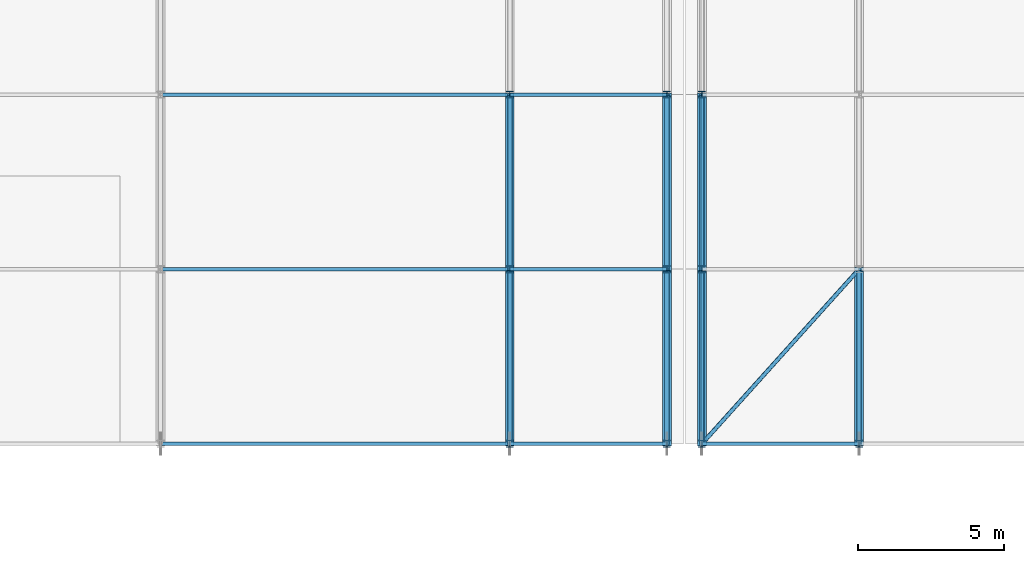
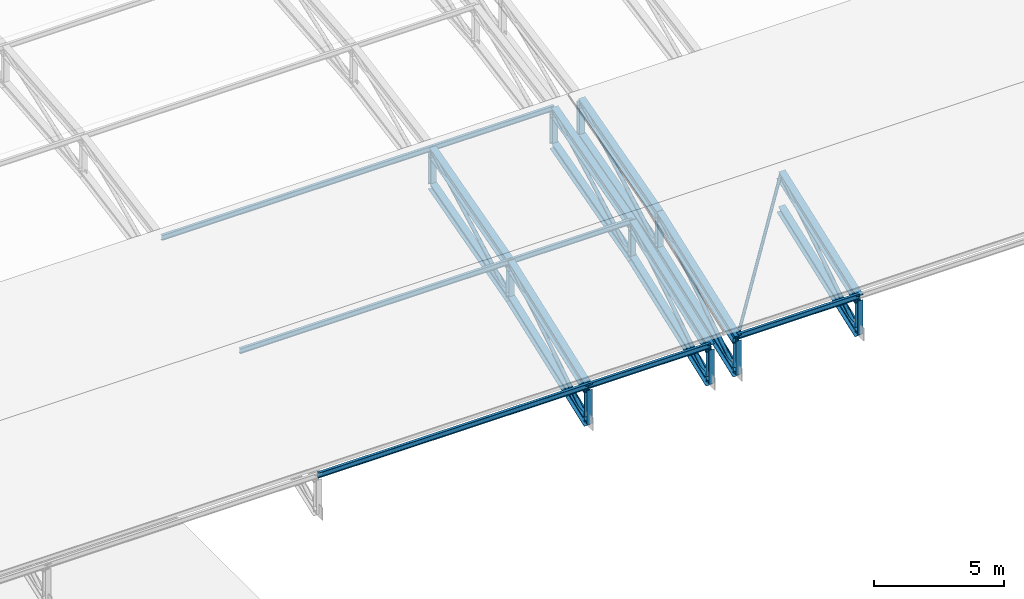
# One storey, part 94 of 204: 39 members.
"""IFC4 building model written with IfcOpenShell, lengths in metres."""

from ifc_helpers import new_model, si_unit, direction, frame, origin, origin_2d, place, context, subcontext, project, spatial, hollow_circle, i_section, extrude, material, material_profile, profile_set, type_object, element, save


model = new_model("IFC4")

# Units and contexts
model_context = context("Model", 3, precision=1e-05, world=origin(), true_north=direction((0.0, 1.0)))
body_context = subcontext(model_context, "Body", "Model", "MODEL_VIEW")
ifc_project = project(units=[si_unit("LENGTHUNIT", "METRE"), si_unit("AREAUNIT", "SQUARE_METRE"), si_unit("VOLUMEUNIT", "CUBIC_METRE"), si_unit("PLANEANGLEUNIT", "RADIAN"), si_unit("MASSUNIT", "GRAM", prefix="KILO")], contexts=[model_context])

# Site, building, storey
site_placement = place(None, origin())
site = spatial("IfcSite", under=ifc_project, at=site_placement, CompositionType="ELEMENT")
building_placement = place(site_placement, origin())
building = spatial("IfcBuilding", under=site, at=building_placement, Name="Zilviju Railside Exhibition Hall", CompositionType="ELEMENT")
storey_placement = place(building_placement, frame((0.0, 0.0, 21.0)))
storey = spatial("IfcBuildingStorey", under=building, at=storey_placement, Name="RF", CompositionType="ELEMENT", Elevation=21.0)

# Members
ifc_material = material(Name="Steel S355J2", Category="steel")
ifc_material_profile_1 = material_profile(ifc_material, hollow_circle(Radius=0.06982421875, WallThickness=0.00634765625, at=origin_2d()), Name="CHS 139.7x6.3")
ifc_profile_set_1 = profile_set([ifc_material_profile_1], Name="Steel S355J2")
member_type_1 = type_object("IfcMemberType", Name="TR-BR-CHS139", PredefinedType="BRACE", material=ifc_profile_set_1)
member_1_placement = place(storey_placement, frame((174.60009765625, 0.0, -6.14013671875), z_axis=(0.645910672406, 0.717691503981, 0.260227416666), x_axis=(-0.743300161789, 0.668958047626, 0.0)))
element("IfcMember", 1, at=member_1_placement, inside=storey, type_object=member_type_1, Name="V1 Roof Wind Brace (174.6..180.0)", PredefinedType="BRACE", context=body_context, shape_type="SweptSolid", body=[
    extrude(hollow_circle(Radius=0.06982421875, WallThickness=0.00634765625, at=origin_2d()), origin(), (0.0, 0.0, 1.0), 8.360107421875),
])
ifc_material_profile_2 = material_profile(ifc_material, hollow_circle(Radius=0.084228515625, WallThickness=0.008056640625, at=origin_2d()), Name="CHS 168.3x8.0")
ifc_profile_set_2 = profile_set([ifc_material_profile_2], Name="Steel S355J2")
member_type_2 = type_object("IfcMemberType", Name="TR-BR-CHS168", PredefinedType="BRACE", material=ifc_profile_set_2)
member_2_placement = place(storey_placement, frame((168.0, 0.0, -7.800048828125), z_axis=(0.0, 0.844023315733, 0.536306481872), x_axis=(-1.0, 0.0, 0.0)))
element("IfcMember", 2, at=member_2_placement, inside=storey, type_object=member_type_2, Name="V1 Parabolic Arch Web Diagonal X=168.0 P1", PredefinedType="BRACE", context=body_context, shape_type="SweptSolid", body=[
    extrude(hollow_circle(Radius=0.084228515625, WallThickness=0.008056640625, at=origin_2d()), origin(), (0.0, 0.0, 1.0), 7.10888671875),
])
member_3_placement = place(storey_placement, frame((168.0, 6.0, -5.587646484375), z_axis=(0.0, 0.87872232578, 0.477333294644), x_axis=(-1.0, 0.0, 0.0)))
element("IfcMember", 3, at=member_3_placement, inside=storey, type_object=member_type_2, Name="V1 Parabolic Arch Web Diagonal X=168.0 P2", PredefinedType="BRACE", context=body_context, shape_type="SweptSolid", body=[
    extrude(hollow_circle(Radius=0.084228515625, WallThickness=0.008056640625, at=origin_2d()), origin(), (0.0, 0.0, 1.0), 6.828125),
])
member_4_placement = place(storey_placement, frame((173.39990234375, 0.0, -7.800048828125), z_axis=(0.0, 0.844023315733, 0.536306481872), x_axis=(-1.0, 0.0, 0.0)))
element("IfcMember", 4, at=member_4_placement, inside=storey, type_object=member_type_2, Name="V1 Parabolic Arch Web Diagonal X=173.4 P1", PredefinedType="BRACE", context=body_context, shape_type="SweptSolid", body=[
    extrude(hollow_circle(Radius=0.084228515625, WallThickness=0.008056640625, at=origin_2d()), origin(), (0.0, 0.0, 1.0), 7.10888671875),
])
member_5_placement = place(storey_placement, frame((173.39990234375, 6.0, -5.587646484375), z_axis=(0.0, 0.87872232578, 0.477333294644), x_axis=(-1.0, 0.0, 0.0)))
element("IfcMember", 5, at=member_5_placement, inside=storey, type_object=member_type_2, Name="V1 Parabolic Arch Web Diagonal X=173.4 P2", PredefinedType="BRACE", context=body_context, shape_type="SweptSolid", body=[
    extrude(hollow_circle(Radius=0.084228515625, WallThickness=0.008056640625, at=origin_2d()), origin(), (0.0, 0.0, 1.0), 6.828125),
])
member_6_placement = place(storey_placement, frame((174.60009765625, 0.0, -7.800048828125), z_axis=(0.0, 0.844023315733, 0.536306481872), x_axis=(-1.0, 0.0, 0.0)))
element("IfcMember", 6, at=member_6_placement, inside=storey, type_object=member_type_2, Name="V1 Parabolic Arch Web Diagonal X=174.6 P1", PredefinedType="BRACE", context=body_context, shape_type="SweptSolid", body=[
    extrude(hollow_circle(Radius=0.084228515625, WallThickness=0.008056640625, at=origin_2d()), origin(), (0.0, 0.0, 1.0), 7.10888671875),
])
member_7_placement = place(storey_placement, frame((174.60009765625, 6.0, -5.587646484375), z_axis=(0.0, 0.87872232578, 0.477333294644), x_axis=(-1.0, 0.0, 0.0)))
element("IfcMember", 7, at=member_7_placement, inside=storey, type_object=member_type_2, Name="V1 Parabolic Arch Web Diagonal X=174.6 P2", PredefinedType="BRACE", context=body_context, shape_type="SweptSolid", body=[
    extrude(hollow_circle(Radius=0.084228515625, WallThickness=0.008056640625, at=origin_2d()), origin(), (0.0, 0.0, 1.0), 6.828125),
])
member_8_placement = place(storey_placement, frame((180.0, 0.0, -7.800048828125), z_axis=(0.0, 0.844023315733, 0.536306481872), x_axis=(-1.0, 0.0, 0.0)))
element("IfcMember", 8, at=member_8_placement, inside=storey, type_object=member_type_2, Name="V1 Parabolic Arch Web Diagonal X=180.0 P1", PredefinedType="BRACE", context=body_context, shape_type="SweptSolid", body=[
    extrude(hollow_circle(Radius=0.084228515625, WallThickness=0.008056640625, at=origin_2d()), origin(), (0.0, 0.0, 1.0), 7.10888671875),
])
ifc_material_profile_3 = material_profile(ifc_material, i_section(OverallWidth=0.300048828125, OverallDepth=0.360107421875, WebThickness=0.012451171875, FlangeThickness=0.0224609375, at=origin_2d()), Name="HEB 360")
ifc_profile_set_3 = profile_set([ifc_material_profile_3], Name="Steel S355J2")
member_type_3 = type_object("IfcMemberType", Name="TR-CH-HEB360", PredefinedType="CHORD", material=ifc_profile_set_3)
member_9_placement = place(storey_placement, frame((168.0, 0.0, -7.800048828125), z_axis=(0.0, 0.938247917098, 0.345963648468), x_axis=(-1.0, 0.0, 0.0)))
element("IfcMember", 9, at=member_9_placement, inside=storey, type_object=member_type_3, Name="V1 Parabolic Arch Bottom Chord X=168.0 P1", PredefinedType="CHORD", context=body_context, shape_type="SweptSolid", body=[
    extrude(i_section(OverallWidth=0.300048828125, OverallDepth=0.360107421875, WebThickness=0.012451171875, FlangeThickness=0.0224609375, at=origin_2d()), origin(), (0.0, 0.0, 1.0), 6.39501953125),
])
member_10_placement = place(storey_placement, frame((168.0, 6.0, -5.587646484375), z_axis=(0.0, 0.963827412659, 0.266527144223), x_axis=(-1.0, 0.0, 0.0)))
element("IfcMember", 10, at=member_10_placement, inside=storey, type_object=member_type_3, Name="V1 Parabolic Arch Bottom Chord X=168.0 P2", PredefinedType="CHORD", context=body_context, shape_type="SweptSolid", body=[
    extrude(i_section(OverallWidth=0.300048828125, OverallDepth=0.360107421875, WebThickness=0.012451171875, FlangeThickness=0.0224609375, at=origin_2d()), origin(), (0.0, 0.0, 1.0), 6.22509765625),
])
member_11_placement = place(storey_placement, frame((173.39990234375, 0.0, -7.800048828125), z_axis=(0.0, 0.938247917098, 0.345963648468), x_axis=(-1.0, 0.0, 0.0)))
element("IfcMember", 11, at=member_11_placement, inside=storey, type_object=member_type_3, Name="V1 Parabolic Arch Bottom Chord X=173.4 P1", PredefinedType="CHORD", context=body_context, shape_type="SweptSolid", body=[
    extrude(i_section(OverallWidth=0.300048828125, OverallDepth=0.360107421875, WebThickness=0.012451171875, FlangeThickness=0.0224609375, at=origin_2d()), origin(), (0.0, 0.0, 1.0), 6.39501953125),
])
member_12_placement = place(storey_placement, frame((173.39990234375, 6.0, -5.587646484375), z_axis=(0.0, 0.963827412659, 0.266527144223), x_axis=(-1.0, 0.0, 0.0)))
element("IfcMember", 12, at=member_12_placement, inside=storey, type_object=member_type_3, Name="V1 Parabolic Arch Bottom Chord X=173.4 P2", PredefinedType="CHORD", context=body_context, shape_type="SweptSolid", body=[
    extrude(i_section(OverallWidth=0.300048828125, OverallDepth=0.360107421875, WebThickness=0.012451171875, FlangeThickness=0.0224609375, at=origin_2d()), origin(), (0.0, 0.0, 1.0), 6.22509765625),
])
member_13_placement = place(storey_placement, frame((174.60009765625, 0.0, -7.800048828125), z_axis=(0.0, 0.938247917098, 0.345963648468), x_axis=(-1.0, 0.0, 0.0)))
element("IfcMember", 13, at=member_13_placement, inside=storey, type_object=member_type_3, Name="V1 Parabolic Arch Bottom Chord X=174.6 P1", PredefinedType="CHORD", context=body_context, shape_type="SweptSolid", body=[
    extrude(i_section(OverallWidth=0.300048828125, OverallDepth=0.360107421875, WebThickness=0.012451171875, FlangeThickness=0.0224609375, at=origin_2d()), origin(), (0.0, 0.0, 1.0), 6.39501953125),
])
member_14_placement = place(storey_placement, frame((174.60009765625, 6.0, -5.587646484375), z_axis=(0.0, 0.963827412659, 0.266527144223), x_axis=(-1.0, 0.0, 0.0)))
element("IfcMember", 14, at=member_14_placement, inside=storey, type_object=member_type_3, Name="V1 Parabolic Arch Bottom Chord X=174.6 P2", PredefinedType="CHORD", context=body_context, shape_type="SweptSolid", body=[
    extrude(i_section(OverallWidth=0.300048828125, OverallDepth=0.360107421875, WebThickness=0.012451171875, FlangeThickness=0.0224609375, at=origin_2d()), origin(), (0.0, 0.0, 1.0), 6.22509765625),
])
member_15_placement = place(storey_placement, frame((180.0, 0.0, -7.800048828125), z_axis=(0.0, 0.938247917098, 0.345963648468), x_axis=(-1.0, 0.0, 0.0)))
element("IfcMember", 15, at=member_15_placement, inside=storey, type_object=member_type_3, Name="V1 Parabolic Arch Bottom Chord X=180.0 P1", PredefinedType="CHORD", context=body_context, shape_type="SweptSolid", body=[
    extrude(i_section(OverallWidth=0.300048828125, OverallDepth=0.360107421875, WebThickness=0.012451171875, FlangeThickness=0.0224609375, at=origin_2d()), origin(), (0.0, 0.0, 1.0), 6.39501953125),
])
ifc_material_profile_4 = material_profile(ifc_material, i_section(OverallWidth=0.300048828125, OverallDepth=0.449951171875, WebThickness=0.013916015625, FlangeThickness=0.02587890625, at=origin_2d()), Name="HEB 450")
ifc_profile_set_4 = profile_set([ifc_material_profile_4], Name="Steel S355J2")
member_type_4 = type_object("IfcMemberType", Name="TR-CH-HEB450", PredefinedType="CHORD", material=ifc_profile_set_4)
member_16_placement = place(storey_placement, frame((168.0, 0.0, -6.199951171875), z_axis=(0.0, 0.938247917098, 0.345963648468), x_axis=(-1.0, 0.0, 0.0)))
element("IfcMember", 16, at=member_16_placement, inside=storey, type_object=member_type_4, Name="V1 Parabolic Arch Top Chord X=168.0 P1", PredefinedType="CHORD", context=body_context, shape_type="SweptSolid", body=[
    extrude(i_section(OverallWidth=0.300048828125, OverallDepth=0.449951171875, WebThickness=0.013916015625, FlangeThickness=0.02587890625, at=origin_2d()), origin(), (0.0, 0.0, 1.0), 6.39501953125),
])
member_17_placement = place(storey_placement, frame((168.0, 6.0, -3.987548828125), z_axis=(0.0, 0.963827412659, 0.266527144223), x_axis=(-1.0, 0.0, 0.0)))
element("IfcMember", 17, at=member_17_placement, inside=storey, type_object=member_type_4, Name="V1 Parabolic Arch Top Chord X=168.0 P2", PredefinedType="CHORD", context=body_context, shape_type="SweptSolid", body=[
    extrude(i_section(OverallWidth=0.300048828125, OverallDepth=0.449951171875, WebThickness=0.013916015625, FlangeThickness=0.02587890625, at=origin_2d()), origin(), (0.0, 0.0, 1.0), 6.22509765625),
])
member_18_placement = place(storey_placement, frame((173.39990234375, 0.0, -6.199951171875), z_axis=(0.0, 0.938247917098, 0.345963648468), x_axis=(-1.0, 0.0, 0.0)))
element("IfcMember", 18, at=member_18_placement, inside=storey, type_object=member_type_4, Name="V1 Parabolic Arch Top Chord X=173.4 P1", PredefinedType="CHORD", context=body_context, shape_type="SweptSolid", body=[
    extrude(i_section(OverallWidth=0.300048828125, OverallDepth=0.449951171875, WebThickness=0.013916015625, FlangeThickness=0.02587890625, at=origin_2d()), origin(), (0.0, 0.0, 1.0), 6.39501953125),
])
member_19_placement = place(storey_placement, frame((173.39990234375, 6.0, -3.987548828125), z_axis=(0.0, 0.963827412659, 0.266527144223), x_axis=(-1.0, 0.0, 0.0)))
element("IfcMember", 19, at=member_19_placement, inside=storey, type_object=member_type_4, Name="V1 Parabolic Arch Top Chord X=173.4 P2", PredefinedType="CHORD", context=body_context, shape_type="SweptSolid", body=[
    extrude(i_section(OverallWidth=0.300048828125, OverallDepth=0.449951171875, WebThickness=0.013916015625, FlangeThickness=0.02587890625, at=origin_2d()), origin(), (0.0, 0.0, 1.0), 6.22509765625),
])
member_20_placement = place(storey_placement, frame((174.60009765625, 0.0, -6.199951171875), z_axis=(0.0, 0.938247917098, 0.345963648468), x_axis=(-1.0, 0.0, 0.0)))
element("IfcMember", 20, at=member_20_placement, inside=storey, type_object=member_type_4, Name="V1 Parabolic Arch Top Chord X=174.6 P1", PredefinedType="CHORD", context=body_context, shape_type="SweptSolid", body=[
    extrude(i_section(OverallWidth=0.300048828125, OverallDepth=0.449951171875, WebThickness=0.013916015625, FlangeThickness=0.02587890625, at=origin_2d()), origin(), (0.0, 0.0, 1.0), 6.39501953125),
])
member_21_placement = place(storey_placement, frame((174.60009765625, 6.0, -3.987548828125), z_axis=(0.0, 0.963827412659, 0.266527144223), x_axis=(-1.0, 0.0, 0.0)))
element("IfcMember", 21, at=member_21_placement, inside=storey, type_object=member_type_4, Name="V1 Parabolic Arch Top Chord X=174.6 P2", PredefinedType="CHORD", context=body_context, shape_type="SweptSolid", body=[
    extrude(i_section(OverallWidth=0.300048828125, OverallDepth=0.449951171875, WebThickness=0.013916015625, FlangeThickness=0.02587890625, at=origin_2d()), origin(), (0.0, 0.0, 1.0), 6.22509765625),
])
member_22_placement = place(storey_placement, frame((180.0, 0.0, -6.199951171875), z_axis=(0.0, 0.938247917098, 0.345963648468), x_axis=(-1.0, 0.0, 0.0)))
element("IfcMember", 22, at=member_22_placement, inside=storey, type_object=member_type_4, Name="V1 Parabolic Arch Top Chord X=180.0 P1", PredefinedType="CHORD", context=body_context, shape_type="SweptSolid", body=[
    extrude(i_section(OverallWidth=0.300048828125, OverallDepth=0.449951171875, WebThickness=0.013916015625, FlangeThickness=0.02587890625, at=origin_2d()), origin(), (0.0, 0.0, 1.0), 6.39501953125),
])
ifc_material_profile_5 = material_profile(ifc_material, i_section(OverallWidth=0.239990234375, OverallDepth=0.22998046875, WebThickness=0.007568359375, FlangeThickness=0.011962890625, at=origin_2d()), Name="HEA 240")
ifc_profile_set_5 = profile_set([ifc_material_profile_5], Name="Steel S355J2")
member_type_5 = type_object("IfcMemberType", Name="TR-POST-HEA240", PredefinedType="POST", material=ifc_profile_set_5)
for number, where, z_axis, x_axis, name in (
    (23, (168.0, 0.0, -7.800048828125), (0.0, 0.0, 1.0), (1.0, 0.0, 0.0), "V1 Parabolic Arch Web Post X=168.0 N0"),
    (24, (168.0, 6.0, -5.587646484375), (0.0, 0.0, 1.0), (1.0, 0.0, 0.0), "V1 Parabolic Arch Web Post X=168.0 N1"),
    (25, (168.0, 12.0, -3.928466796875), (0.0, 0.0, 1.0), (1.0, 0.0, 0.0), "V1 Parabolic Arch Web Post X=168.0 N2"),
    (26, (173.39990234375, 0.0, -7.800048828125), (0.0, 0.0, 1.0), (1.0, 0.0, 0.0), "V1 Parabolic Arch Web Post X=173.4 N0"),
    (27, (173.39990234375, 6.0, -5.587646484375), (0.0, 0.0, 1.0), (1.0, 0.0, 0.0), "V1 Parabolic Arch Web Post X=173.4 N1"),
    (28, (173.39990234375, 12.0, -3.928466796875), (0.0, 0.0, 1.0), (1.0, 0.0, 0.0), "V1 Parabolic Arch Web Post X=173.4 N2"),
    (29, (174.60009765625, 0.0, -7.800048828125), (0.0, 0.0, 1.0), (1.0, 0.0, 0.0), "V1 Parabolic Arch Web Post X=174.6 N0"),
    (30, (174.60009765625, 6.0, -5.587646484375), (0.0, 0.0, 1.0), (1.0, 0.0, 0.0), "V1 Parabolic Arch Web Post X=174.6 N1"),
    (31, (174.60009765625, 12.0, -3.928466796875), (0.0, 0.0, 1.0), (1.0, 0.0, 0.0), "V1 Parabolic Arch Web Post X=174.6 N2"),
    (32, (180.0, 0.0, -7.800048828125), (0.0, 0.0, 1.0), (1.0, 0.0, 0.0), "V1 Parabolic Arch Web Post X=180.0 N0"),
):
    element("IfcMember", number, at=place(storey_placement, frame(where, z_axis=z_axis, x_axis=x_axis)), inside=storey, type_object=member_type_5, Name=name, PredefinedType="POST", context=body_context, shape_type="SweptSolid", body=[
        extrude(i_section(OverallWidth=0.239990234375, OverallDepth=0.22998046875, WebThickness=0.007568359375, FlangeThickness=0.011962890625, at=origin_2d()), origin(), (0.0, 0.0, 1.0), 1.60009765625),
    ])
ifc_material_profile_6 = material_profile(ifc_material, i_section(OverallWidth=0.1201171875, OverallDepth=0.239990234375, WebThickness=0.006103515625, FlangeThickness=0.009765625, at=origin_2d()), Name="IPE 240")
ifc_profile_set_6 = profile_set([ifc_material_profile_6], Name="Steel S355J2")
member_type_6 = type_object("IfcMemberType", Name="TR-PUR-IPE240", PredefinedType="PURLIN", material=ifc_profile_set_6)
for number, where, z_axis, x_axis, name in (
    (33, (156.0, 0.0, -6.05517578125), (1.0, 0.0, 0.0), (0.0, 1.0, 0.0), "V1 Barrel Vault Roof Purlin Y=0.0 (156.0..168.0)"),
    (34, (156.0, 6.0, -3.864990234375), (1.0, 0.0, 0.0), (0.0, 1.0, 0.0), "V1 Barrel Vault Roof Purlin Y=6.0 (156.0..168.0)"),
    (35, (156.0, 12.0, -2.193603515625), (1.0, 0.0, 0.0), (0.0, 1.0, 0.0), "V1 Barrel Vault Roof Purlin Y=12.0 (156.0..168.0)"),
):
    element("IfcMember", number, at=place(storey_placement, frame(where, z_axis=z_axis, x_axis=x_axis)), inside=storey, type_object=member_type_6, Name=name, PredefinedType="PURLIN", context=body_context, shape_type="SweptSolid", body=[
        extrude(i_section(OverallWidth=0.1201171875, OverallDepth=0.239990234375, WebThickness=0.006103515625, FlangeThickness=0.009765625, at=origin_2d()), origin(), (0.0, 0.0, 1.0), 12.0),
    ])
for number, where, z_axis, x_axis, name in (
    (36, (168.0, 0.0, -6.05517578125), (1.0, 0.0, 0.0), (0.0, 1.0, 0.0), "V1 Barrel Vault Roof Purlin Y=0.0 (168.0..173.4)"),
    (37, (168.0, 6.0, -3.864990234375), (1.0, 0.0, 0.0), (0.0, 1.0, 0.0), "V1 Barrel Vault Roof Purlin Y=6.0 (168.0..173.4)"),
    (38, (168.0, 12.0, -2.193603515625), (1.0, 0.0, 0.0), (0.0, 1.0, 0.0), "V1 Barrel Vault Roof Purlin Y=12.0 (168.0..173.4)"),
    (39, (174.60009765625, 0.0, -6.05517578125), (1.0, 0.0, 0.0), (0.0, 1.0, 0.0), "V1 Barrel Vault Roof Purlin Y=0.0 (174.6..180.0)"),
):
    element("IfcMember", number, at=place(storey_placement, frame(where, z_axis=z_axis, x_axis=x_axis)), inside=storey, type_object=member_type_6, Name=name, PredefinedType="PURLIN", context=body_context, shape_type="SweptSolid", body=[
        extrude(i_section(OverallWidth=0.1201171875, OverallDepth=0.239990234375, WebThickness=0.006103515625, FlangeThickness=0.009765625, at=origin_2d()), origin(), (0.0, 0.0, 1.0), 5.39990234375),
    ])

save(model, "model.ifc")
